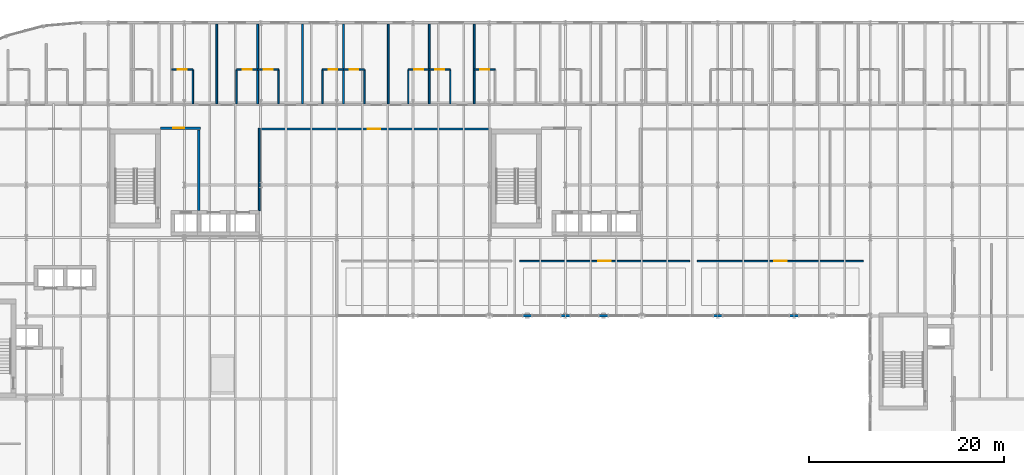
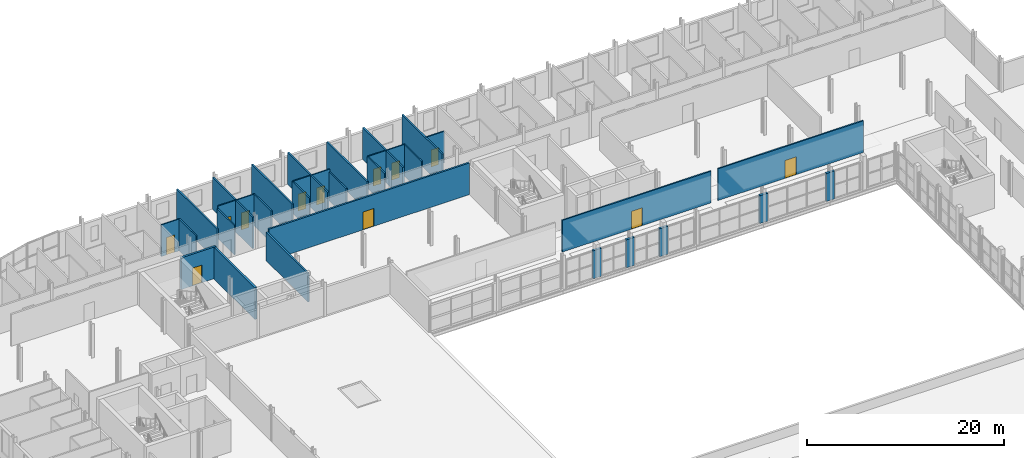
# One storey, part 44 of 58: 33 walls, 12 doors, 12 openings.
"""IFC4 building model written with IfcOpenShell, lengths in metres."""

from ifc_helpers import new_model, si_unit, direction, frame, frame_2d, origin, place, context, subcontext, project, spatial, rectangle, extrude, material, layer, layer_set, type_object, element, fill, save


model = new_model("IFC4")

# Units and contexts
model_context = context("Model", 3, precision=1e-05, world=origin(), true_north=direction((0.0, 1.0)))
body_context = subcontext(model_context, "Body", "Model", "MODEL_VIEW")
ifc_project = project(units=[si_unit("LENGTHUNIT", "METRE"), si_unit("AREAUNIT", "SQUARE_METRE"), si_unit("VOLUMEUNIT", "CUBIC_METRE"), si_unit("PLANEANGLEUNIT", "RADIAN"), si_unit("MASSUNIT", "GRAM", prefix="KILO")], contexts=[model_context])

# Site, building, storey
site_placement = place(None, origin())
site = spatial("IfcSite", under=ifc_project, at=site_placement, CompositionType="ELEMENT")
building_placement = place(site_placement, origin())
building = spatial("IfcBuilding", under=site, at=building_placement, Name="Sefraquen Railside Congress Hotel", CompositionType="ELEMENT")
storey_placement = place(building_placement, frame((0.0, 0.0, 16.199951171875)))
storey = spatial("IfcBuildingStorey", under=building, at=storey_placement, Name="L03", CompositionType="ELEMENT", Elevation=16.199951171875)

# Walls
ifc_material_1 = material(Name="Ochre Rabat calcarenite limestone and Concrete C40/50 backing", Category="masonry")
ifc_layer_1 = layer(ifc_material_1, 0.280029296875)
ifc_layer_set_1 = layer_set([ifc_layer_1], Name="Ochre Rabat calcarenite limestone and Concrete C40/50 backing")
wall_type_1 = type_object("IfcWallType", Name="TW-EW-280", PredefinedType="STANDARD", material=ifc_layer_set_1)
for number, where, z_axis, x_axis, name in (
    (1, (67.6201171875, 88.0, 0.0), (0.0, 0.0, 1.0), (1.0, 0.0, 0.0), "Meeting Wing L03 courtyard north curtain wall 2 column pier closure 1"),
    (2, (71.52001953125, 88.0, 0.0), (0.0, 0.0, 1.0), (1.0, 0.0, 0.0), "Meeting Wing L03 courtyard north curtain wall 2 column pier closure 2"),
    (3, (75.419921875, 88.0, 0.0), (0.0, 0.0, 1.0), (1.0, 0.0, 0.0), "Meeting Wing L03 courtyard north curtain wall 2 column pier closure 3"),
    (4, (87.1201171875, 88.0, 0.0), (0.0, 0.0, 1.0), (1.0, 0.0, 0.0), "Meeting Wing L03 courtyard north curtain wall 3 column pier closure 1"),
    (5, (94.919921875, 88.0, 0.0), (0.0, 0.0, 1.0), (1.0, 0.0, 0.0), "Meeting Wing L03 courtyard north curtain wall 3 column pier closure 2"),
):
    element("IfcWall", number, at=place(storey_placement, frame(where, z_axis=z_axis, x_axis=x_axis)), inside=storey, type_object=wall_type_1, Name=name, PredefinedType="STANDARD", context=body_context, shape_type="SweptSolid", body=[
        extrude(rectangle(XDim=0.9599609375, YDim=0.260009765625, at=frame_2d((0.47998046875, 0.0))), origin(), (0.0, 0.0, 1.0), 3.4599609375),
    ])
ifc_material_2 = material(Name="Concrete C40/50", Category="concrete")
ifc_layer_2 = layer(ifc_material_2, 0.239990234375)
ifc_layer_set_2 = layer_set([ifc_layer_2], Name="Concrete C40/50")
wall_type_2 = type_object("IfcWallType", Name="TW-FW-240", PredefinedType="STANDARD", material=ifc_layer_set_2)
wall_1_placement = place(storey_placement, frame((34.47998046875, 98.780029296875, 0.0), z_axis=(0.0, 0.0, 1.0), x_axis=(0.0, 1.0, 0.0)))
element("IfcWall", 6, at=wall_1_placement, inside=storey, type_object=wall_type_2, Name="Firefighting Lift Lobby FFL-02 east fire wall L03", PredefinedType="STANDARD", context=body_context, shape_type="SweptSolid", body=[
    extrude(rectangle(XDim=8.239990234375, YDim=0.239990234375, at=frame_2d((4.1201171875, 0.0))), origin(), (0.0, 0.0, 1.0), 3.920166015625),
])

# Wall, opening, door
wall_2_placement = place(storey_placement, frame((30.56005859375, 107.199951171875, 0.0), z_axis=(0.0, 0.0, 1.0), x_axis=(1.0, 0.0, 0.0)))
wall_2 = element("IfcWall", 7, at=wall_2_placement, inside=storey, type_object=wall_type_2, Name="Firefighting Lift Lobby FFL-02 EI 120 separation wall L03", PredefinedType="STANDARD", context=body_context, shape_type="SweptSolid", body=[
    extrude(rectangle(XDim=4.099853515625, YDim=0.239990234375, at=frame_2d((2.0498046875, 0.0))), origin(), (0.0, 0.0, 1.0), 3.920166015625),
])
opening_1_placement = place(wall_2_placement, frame((1.300048828125, 0.0, 0.0)))
opening_1 = element("IfcOpeningElement", 8, at=opening_1_placement, cuts=wall_2, Name="Opening FD-04", PredefinedType="OPENING", context=body_context, shape_type="SweptSolid", body=[
    extrude(rectangle(XDim=1.10009765625, YDim=2.199951171875, at=frame_2d((0.550048828125, 1.10009765625))), frame((0.0, 0.1298828125, 0.0), z_axis=(0.0, -1.0, 0.0), x_axis=(1.0, 0.0, 0.0)), (0.0, 0.0, 1.0), 0.260009765625),
])
ifc_material_3 = material(Name="Fire-rated steel", Category="steel")
door_type_1 = type_object("IfcDoorType", Name="TD-FD-04", OperationType="NOTDEFINED", PredefinedType="DOOR", material=ifc_material_3)
door_1_placement = place(opening_1_placement, origin())
door_1 = element("IfcDoor", 9, at=door_1_placement, inside=storey, type_object=door_type_1, Name="Firefighting Lift Lobby FFL-02 self-closing fire door L03", OperationType="SINGLE_SWING_LEFT", OverallHeight=2.199951171875, OverallWidth=1.10009765625, PredefinedType="DOOR", context=body_context, shape_type="SweptSolid", body=[
    extrude(rectangle(XDim=1.10009765625, YDim=2.199951171875, at=frame_2d((0.550048828125, 1.10009765625))), frame((0.0, 0.02490234375, 0.0), z_axis=(0.0, -1.0, 0.0), x_axis=(1.0, 0.0, 0.0)), (0.0, 0.0, 1.0), 0.050048828125),
])
fill(opening_1, door_1)

# Wall
ifc_material_4 = material(Name="Moisture-resistant gypsum board", Category="gypsum")
ifc_layer_3 = layer(ifc_material_4, 0.139892578125)
ifc_layer_set_3 = layer_set([ifc_layer_3], Name="Moisture-resistant gypsum board")
wall_type_3 = type_object("IfcWallType", Name="TW-PW-140", PredefinedType="PARTITIONING", material=ifc_layer_set_3)
wall_3_placement = place(storey_placement, frame((33.862060546875, 109.699951171875, 0.0), z_axis=(0.0, 0.0, 1.0), x_axis=(0.0, 1.0, 0.0)))
element("IfcWall", 10, at=wall_3_placement, inside=storey, type_object=wall_type_3, Name="En-suite bathroom east wall RM-003", PredefinedType="PARTITIONING", context=body_context, shape_type="SweptSolid", body=[
    extrude(rectangle(XDim=3.5, YDim=0.139892578125, at=frame_2d((1.75, 0.0))), origin(), (0.0, 0.0, 1.0), 3.920166015625),
])

# Wall, opening, door
wall_4_placement = place(storey_placement, frame((31.7119140625, 113.199951171875, 0.0), z_axis=(0.0, 0.0, 1.0), x_axis=(1.0, 0.0, 0.0)))
wall_4 = element("IfcWall", 11, at=wall_4_placement, inside=storey, type_object=wall_type_3, Name="En-suite bathroom north wall RM-003", PredefinedType="PARTITIONING", context=body_context, shape_type="SweptSolid", body=[
    extrude(rectangle(XDim=2.150146484375, YDim=0.139892578125, at=frame_2d((1.0751953125, 0.0))), origin(), (0.0, 0.0, 1.0), 3.920166015625),
])
opening_2_placement = place(wall_4_placement, frame((0.60498046875, 0.0, 0.0)))
opening_2 = element("IfcOpeningElement", 12, at=opening_2_placement, cuts=wall_4, Name="Opening ID-01", PredefinedType="OPENING", context=body_context, shape_type="SweptSolid", body=[
    extrude(rectangle(XDim=0.93994140625, YDim=2.14990234375, at=frame_2d((0.469970703125, 1.074951171875))), frame((0.0, 0.079833984375, 0.0), z_axis=(0.0, -1.0, 0.0), x_axis=(1.0, 0.0, 0.0)), (0.0, 0.0, 1.0), 0.159912109375),
])
ifc_material_5 = material(Name="Lacquered cedar joinery", Category="wood")
door_type_2 = type_object("IfcDoorType", Name="TD-ID-01", OperationType="NOTDEFINED", PredefinedType="DOOR", material=ifc_material_5)
door_2_placement = place(opening_2_placement, origin())
door_2 = element("IfcDoor", 13, at=door_2_placement, inside=storey, type_object=door_type_2, Name="En-suite bathroom door RM-003", OperationType="SINGLE_SWING_LEFT", OverallHeight=2.14990234375, OverallWidth=0.93994140625, PredefinedType="DOOR", context=body_context, shape_type="SweptSolid", body=[
    extrude(rectangle(XDim=0.93994140625, YDim=2.14990234375, at=frame_2d((0.469970703125, 1.074951171875))), frame((0.0, 0.02490234375, 0.0), z_axis=(0.0, -1.0, 0.0), x_axis=(1.0, 0.0, 0.0)), (0.0, 0.0, 1.0), 0.050048828125),
])
fill(opening_2, door_2)

# Wall
wall_5_placement = place(storey_placement, frame((38.343994140625, 109.699951171875, 0.0), z_axis=(0.0, 0.0, 1.0), x_axis=(0.0, 1.0, 0.0)))
element("IfcWall", 14, at=wall_5_placement, inside=storey, type_object=wall_type_3, Name="En-suite bathroom west wall RM-004", PredefinedType="PARTITIONING", context=body_context, shape_type="SweptSolid", body=[
    extrude(rectangle(XDim=3.5, YDim=0.139892578125, at=frame_2d((1.75, 0.0))), origin(), (0.0, 0.0, 1.0), 3.610107421875),
])

# Wall, opening, door
wall_6_placement = place(storey_placement, frame((38.343994140625, 113.199951171875, 0.0), z_axis=(0.0, 0.0, 1.0), x_axis=(1.0, 0.0, 0.0)))
wall_6 = element("IfcWall", 15, at=wall_6_placement, inside=storey, type_object=wall_type_3, Name="En-suite bathroom north wall RM-004", PredefinedType="PARTITIONING", context=body_context, shape_type="SweptSolid", body=[
    extrude(rectangle(XDim=2.14990234375, YDim=0.139892578125, at=frame_2d((1.074951171875, 0.0))), origin(), (0.0, 0.0, 1.0), 3.920166015625),
])
opening_3_placement = place(wall_6_placement, frame((0.60498046875, 0.0, 0.0)))
opening_3 = element("IfcOpeningElement", 16, at=opening_3_placement, cuts=wall_6, Name="Opening ID-01", PredefinedType="OPENING", context=body_context, shape_type="SweptSolid", body=[
    extrude(rectangle(XDim=0.93994140625, YDim=2.14990234375, at=frame_2d((0.469970703125, 1.074951171875))), frame((0.0, 0.079833984375, 0.0), z_axis=(0.0, -1.0, 0.0), x_axis=(1.0, 0.0, 0.0)), (0.0, 0.0, 1.0), 0.159912109375),
])
door_3_placement = place(opening_3_placement, origin())
door_3 = element("IfcDoor", 17, at=door_3_placement, inside=storey, type_object=door_type_2, Name="En-suite bathroom door RM-004", OperationType="SINGLE_SWING_LEFT", OverallHeight=2.14990234375, OverallWidth=0.93994140625, PredefinedType="DOOR", context=body_context, shape_type="SweptSolid", body=[
    extrude(rectangle(XDim=0.93994140625, YDim=2.14990234375, at=frame_2d((0.469970703125, 1.074951171875))), frame((0.0, 0.02490234375, 0.0), z_axis=(0.0, -1.0, 0.0), x_axis=(1.0, 0.0, 0.0)), (0.0, 0.0, 1.0), 0.050048828125),
])
fill(opening_3, door_3)

# Wall
wall_7_placement = place(storey_placement, frame((42.64404296875, 109.699951171875, 0.0), z_axis=(0.0, 0.0, 1.0), x_axis=(0.0, 1.0, 0.0)))
element("IfcWall", 18, at=wall_7_placement, inside=storey, type_object=wall_type_3, Name="En-suite bathroom east wall RM-005", PredefinedType="PARTITIONING", context=body_context, shape_type="SweptSolid", body=[
    extrude(rectangle(XDim=3.5, YDim=0.139892578125, at=frame_2d((1.75, 0.0))), origin(), (0.0, 0.0, 1.0), 3.920166015625),
])

# Wall, opening, door
wall_8_placement = place(storey_placement, frame((40.493896484375, 113.199951171875, 0.0), z_axis=(0.0, 0.0, 1.0), x_axis=(1.0, 0.0, 0.0)))
wall_8 = element("IfcWall", 19, at=wall_8_placement, inside=storey, type_object=wall_type_3, Name="En-suite bathroom north wall RM-005", PredefinedType="PARTITIONING", context=body_context, shape_type="SweptSolid", body=[
    extrude(rectangle(XDim=2.150146484375, YDim=0.139892578125, at=frame_2d((1.0751953125, 0.0))), origin(), (0.0, 0.0, 1.0), 3.920166015625),
])
opening_4_placement = place(wall_8_placement, frame((0.625, 0.0, 0.0)))
opening_4 = element("IfcOpeningElement", 20, at=opening_4_placement, cuts=wall_8, Name="Opening ID-02", PredefinedType="OPENING", context=body_context, shape_type="SweptSolid", body=[
    extrude(rectangle(XDim=0.89990234375, YDim=2.10009765625, at=frame_2d((0.449951171875, 1.050048828125))), frame((0.0, 0.079833984375, 0.0), z_axis=(0.0, -1.0, 0.0), x_axis=(1.0, 0.0, 0.0)), (0.0, 0.0, 1.0), 0.159912109375),
])
door_type_3 = type_object("IfcDoorType", Name="TD-ID-02", OperationType="NOTDEFINED", PredefinedType="DOOR", material=ifc_material_5)
door_4_placement = place(opening_4_placement, origin())
door_4 = element("IfcDoor", 21, at=door_4_placement, inside=storey, type_object=door_type_3, Name="En-suite bathroom door RM-005", OperationType="SINGLE_SWING_LEFT", OverallHeight=2.10009765625, OverallWidth=0.89990234375, PredefinedType="DOOR", context=body_context, shape_type="SweptSolid", body=[
    extrude(rectangle(XDim=0.89990234375, YDim=2.10009765625, at=frame_2d((0.449951171875, 1.050048828125))), frame((0.0, 0.02490234375, 0.0), z_axis=(0.0, -1.0, 0.0), x_axis=(1.0, 0.0, 0.0)), (0.0, 0.0, 1.0), 0.050048828125),
])
fill(opening_4, door_4)

# Wall
wall_9_placement = place(storey_placement, frame((47.125, 109.699951171875, 0.0), z_axis=(0.0, 0.0, 1.0), x_axis=(0.0, 1.0, 0.0)))
element("IfcWall", 22, at=wall_9_placement, inside=storey, type_object=wall_type_3, Name="En-suite bathroom west wall RM-006", PredefinedType="PARTITIONING", context=body_context, shape_type="SweptSolid", body=[
    extrude(rectangle(XDim=3.5, YDim=0.139892578125, at=frame_2d((1.75, 0.0))), origin(), (0.0, 0.0, 1.0), 3.920166015625),
])

# Wall, opening, door
wall_10_placement = place(storey_placement, frame((47.125, 113.199951171875, 0.0), z_axis=(0.0, 0.0, 1.0), x_axis=(1.0, 0.0, 0.0)))
wall_10 = element("IfcWall", 23, at=wall_10_placement, inside=storey, type_object=wall_type_3, Name="En-suite bathroom north wall RM-006", PredefinedType="PARTITIONING", context=body_context, shape_type="SweptSolid", body=[
    extrude(rectangle(XDim=2.14990234375, YDim=0.139892578125, at=frame_2d((1.074951171875, 0.0))), origin(), (0.0, 0.0, 1.0), 3.920166015625),
])
opening_5_placement = place(wall_10_placement, frame((0.625, 0.0, 0.0)))
opening_5 = element("IfcOpeningElement", 24, at=opening_5_placement, cuts=wall_10, Name="Opening ID-02", PredefinedType="OPENING", context=body_context, shape_type="SweptSolid", body=[
    extrude(rectangle(XDim=0.89990234375, YDim=2.10009765625, at=frame_2d((0.449951171875, 1.050048828125))), frame((0.0, 0.079833984375, 0.0), z_axis=(0.0, -1.0, 0.0), x_axis=(1.0, 0.0, 0.0)), (0.0, 0.0, 1.0), 0.159912109375),
])
door_5_placement = place(opening_5_placement, origin())
door_5 = element("IfcDoor", 25, at=door_5_placement, inside=storey, type_object=door_type_3, Name="En-suite bathroom door RM-006", OperationType="SINGLE_SWING_LEFT", OverallHeight=2.10009765625, OverallWidth=0.89990234375, PredefinedType="DOOR", context=body_context, shape_type="SweptSolid", body=[
    extrude(rectangle(XDim=0.89990234375, YDim=2.10009765625, at=frame_2d((0.449951171875, 1.050048828125))), frame((0.0, 0.02490234375, 0.0), z_axis=(0.0, -1.0, 0.0), x_axis=(1.0, 0.0, 0.0)), (0.0, 0.0, 1.0), 0.050048828125),
])
fill(opening_5, door_5)

# Wall
wall_11_placement = place(storey_placement, frame((51.425048828125, 109.699951171875, 0.0), z_axis=(0.0, 0.0, 1.0), x_axis=(0.0, 1.0, 0.0)))
element("IfcWall", 26, at=wall_11_placement, inside=storey, type_object=wall_type_3, Name="En-suite bathroom east wall RM-007", PredefinedType="PARTITIONING", context=body_context, shape_type="SweptSolid", body=[
    extrude(rectangle(XDim=3.5, YDim=0.139892578125, at=frame_2d((1.75, 0.0))), origin(), (0.0, 0.0, 1.0), 3.610107421875),
])

# Wall, opening, door
wall_12_placement = place(storey_placement, frame((49.27490234375, 113.199951171875, 0.0), z_axis=(0.0, 0.0, 1.0), x_axis=(1.0, 0.0, 0.0)))
wall_12 = element("IfcWall", 27, at=wall_12_placement, inside=storey, type_object=wall_type_3, Name="En-suite bathroom north wall RM-007", PredefinedType="PARTITIONING", context=body_context, shape_type="SweptSolid", body=[
    extrude(rectangle(XDim=2.150146484375, YDim=0.139892578125, at=frame_2d((1.0751953125, 0.0))), origin(), (0.0, 0.0, 1.0), 3.920166015625),
])
opening_6_placement = place(wall_12_placement, frame((0.625, 0.0, 0.0)))
opening_6 = element("IfcOpeningElement", 28, at=opening_6_placement, cuts=wall_12, Name="Opening ID-02", PredefinedType="OPENING", context=body_context, shape_type="SweptSolid", body=[
    extrude(rectangle(XDim=0.89990234375, YDim=2.10009765625, at=frame_2d((0.449951171875, 1.050048828125))), frame((0.0, 0.079833984375, 0.0), z_axis=(0.0, -1.0, 0.0), x_axis=(1.0, 0.0, 0.0)), (0.0, 0.0, 1.0), 0.159912109375),
])
door_6_placement = place(opening_6_placement, origin())
door_6 = element("IfcDoor", 29, at=door_6_placement, inside=storey, type_object=door_type_3, Name="En-suite bathroom door RM-007", OperationType="SINGLE_SWING_LEFT", OverallHeight=2.10009765625, OverallWidth=0.89990234375, PredefinedType="DOOR", context=body_context, shape_type="SweptSolid", body=[
    extrude(rectangle(XDim=0.89990234375, YDim=2.10009765625, at=frame_2d((0.449951171875, 1.050048828125))), frame((0.0, 0.02490234375, 0.0), z_axis=(0.0, -1.0, 0.0), x_axis=(1.0, 0.0, 0.0)), (0.0, 0.0, 1.0), 0.050048828125),
])
fill(opening_6, door_6)

# Wall
wall_13_placement = place(storey_placement, frame((55.906982421875, 109.699951171875, 0.0), z_axis=(0.0, 0.0, 1.0), x_axis=(0.0, 1.0, 0.0)))
element("IfcWall", 30, at=wall_13_placement, inside=storey, type_object=wall_type_3, Name="En-suite bathroom west wall RM-008", PredefinedType="PARTITIONING", context=body_context, shape_type="SweptSolid", body=[
    extrude(rectangle(XDim=3.5, YDim=0.139892578125, at=frame_2d((1.75, 0.0))), origin(), (0.0, 0.0, 1.0), 3.920166015625),
])

# Wall, opening, door
wall_14_placement = place(storey_placement, frame((55.906982421875, 113.199951171875, 0.0), z_axis=(0.0, 0.0, 1.0), x_axis=(1.0, 0.0, 0.0)))
wall_14 = element("IfcWall", 31, at=wall_14_placement, inside=storey, type_object=wall_type_3, Name="En-suite bathroom north wall RM-008", PredefinedType="PARTITIONING", context=body_context, shape_type="SweptSolid", body=[
    extrude(rectangle(XDim=2.14990234375, YDim=0.139892578125, at=frame_2d((1.074951171875, 0.0))), origin(), (0.0, 0.0, 1.0), 3.920166015625),
])
opening_7_placement = place(wall_14_placement, frame((0.625, 0.0, 0.0)))
opening_7 = element("IfcOpeningElement", 32, at=opening_7_placement, cuts=wall_14, Name="Opening ID-02", PredefinedType="OPENING", context=body_context, shape_type="SweptSolid", body=[
    extrude(rectangle(XDim=0.89990234375, YDim=2.10009765625, at=frame_2d((0.449951171875, 1.050048828125))), frame((0.0, 0.079833984375, 0.0), z_axis=(0.0, -1.0, 0.0), x_axis=(1.0, 0.0, 0.0)), (0.0, 0.0, 1.0), 0.159912109375),
])
door_7_placement = place(opening_7_placement, origin())
door_7 = element("IfcDoor", 33, at=door_7_placement, inside=storey, type_object=door_type_3, Name="En-suite bathroom door RM-008", OperationType="SINGLE_SWING_LEFT", OverallHeight=2.10009765625, OverallWidth=0.89990234375, PredefinedType="DOOR", context=body_context, shape_type="SweptSolid", body=[
    extrude(rectangle(XDim=0.89990234375, YDim=2.10009765625, at=frame_2d((0.449951171875, 1.050048828125))), frame((0.0, 0.02490234375, 0.0), z_axis=(0.0, -1.0, 0.0), x_axis=(1.0, 0.0, 0.0)), (0.0, 0.0, 1.0), 0.050048828125),
])
fill(opening_7, door_7)

# Wall
wall_15_placement = place(storey_placement, frame((60.20703125, 109.699951171875, 0.0), z_axis=(0.0, 0.0, 1.0), x_axis=(0.0, 1.0, 0.0)))
element("IfcWall", 34, at=wall_15_placement, inside=storey, type_object=wall_type_3, Name="En-suite bathroom east wall RM-009", PredefinedType="PARTITIONING", context=body_context, shape_type="SweptSolid", body=[
    extrude(rectangle(XDim=3.5, YDim=0.139892578125, at=frame_2d((1.75, 0.0))), origin(), (0.0, 0.0, 1.0), 3.920166015625),
])

# Wall, opening, door
wall_16_placement = place(storey_placement, frame((58.056884765625, 113.199951171875, 0.0), z_axis=(0.0, 0.0, 1.0), x_axis=(1.0, 0.0, 0.0)))
wall_16 = element("IfcWall", 35, at=wall_16_placement, inside=storey, type_object=wall_type_3, Name="En-suite bathroom north wall RM-009", PredefinedType="PARTITIONING", context=body_context, shape_type="SweptSolid", body=[
    extrude(rectangle(XDim=2.150146484375, YDim=0.139892578125, at=frame_2d((1.0751953125, 0.0))), origin(), (0.0, 0.0, 1.0), 3.920166015625),
])
opening_8_placement = place(wall_16_placement, frame((0.625, 0.0, 0.0)))
opening_8 = element("IfcOpeningElement", 36, at=opening_8_placement, cuts=wall_16, Name="Opening ID-02", PredefinedType="OPENING", context=body_context, shape_type="SweptSolid", body=[
    extrude(rectangle(XDim=0.89990234375, YDim=2.10009765625, at=frame_2d((0.449951171875, 1.050048828125))), frame((0.0, 0.079833984375, 0.0), z_axis=(0.0, -1.0, 0.0), x_axis=(1.0, 0.0, 0.0)), (0.0, 0.0, 1.0), 0.159912109375),
])
door_8_placement = place(opening_8_placement, origin())
door_8 = element("IfcDoor", 37, at=door_8_placement, inside=storey, type_object=door_type_3, Name="En-suite bathroom door RM-009", OperationType="SINGLE_SWING_LEFT", OverallHeight=2.10009765625, OverallWidth=0.89990234375, PredefinedType="DOOR", context=body_context, shape_type="SweptSolid", body=[
    extrude(rectangle(XDim=0.89990234375, YDim=2.10009765625, at=frame_2d((0.449951171875, 1.050048828125))), frame((0.0, 0.02490234375, 0.0), z_axis=(0.0, -1.0, 0.0), x_axis=(1.0, 0.0, 0.0)), (0.0, 0.0, 1.0), 0.050048828125),
])
fill(opening_8, door_8)

wall_17_placement = place(storey_placement, frame((62.657958984375, 113.199951171875, 0.0), z_axis=(0.0, 0.0, 1.0), x_axis=(1.0, 0.0, 0.0)))
wall_17 = element("IfcWall", 38, at=wall_17_placement, inside=storey, type_object=wall_type_3, Name="En-suite bathroom north wall RM-010", PredefinedType="PARTITIONING", context=body_context, shape_type="SweptSolid", body=[
    extrude(rectangle(XDim=2.150146484375, YDim=0.139892578125, at=frame_2d((1.0751953125, 0.0))), origin(), (0.0, 0.0, 1.0), 3.920166015625),
])
opening_9_placement = place(wall_17_placement, frame((0.625, 0.0, 0.0)))
opening_9 = element("IfcOpeningElement", 39, at=opening_9_placement, cuts=wall_17, Name="Opening ID-02", PredefinedType="OPENING", context=body_context, shape_type="SweptSolid", body=[
    extrude(rectangle(XDim=0.89990234375, YDim=2.10009765625, at=frame_2d((0.449951171875, 1.050048828125))), frame((0.0, 0.079833984375, 0.0), z_axis=(0.0, -1.0, 0.0), x_axis=(1.0, 0.0, 0.0)), (0.0, 0.0, 1.0), 0.159912109375),
])
door_9_placement = place(opening_9_placement, origin())
door_9 = element("IfcDoor", 40, at=door_9_placement, inside=storey, type_object=door_type_3, Name="En-suite bathroom door RM-010", OperationType="SINGLE_SWING_LEFT", OverallHeight=2.10009765625, OverallWidth=0.89990234375, PredefinedType="DOOR", context=body_context, shape_type="SweptSolid", body=[
    extrude(rectangle(XDim=0.89990234375, YDim=2.10009765625, at=frame_2d((0.449951171875, 1.050048828125))), frame((0.0, 0.02490234375, 0.0), z_axis=(0.0, -1.0, 0.0), x_axis=(1.0, 0.0, 0.0)), (0.0, 0.0, 1.0), 0.050048828125),
])
fill(opening_9, door_9)

ifc_layer_4 = layer(ifc_material_4, 0.159912109375)
ifc_layer_set_4 = layer_set([ifc_layer_4], Name="Moisture-resistant gypsum board")
wall_type_4 = type_object("IfcWallType", Name="TW-PW-160", PredefinedType="PARTITIONING", material=ifc_layer_set_4)
wall_18_placement = place(storey_placement, frame((67.300048828125, 93.60009765625, 0.0), z_axis=(0.0, 0.0, 1.0), x_axis=(1.0, 0.0, 0.0)))
wall_18 = element("IfcWall", 41, at=wall_18_placement, inside=storey, type_object=wall_type_4, Name="Meeting Room 06 enclosure wall", PredefinedType="PARTITIONING", context=body_context, shape_type="SweptSolid", body=[
    extrude(rectangle(XDim=17.39990234375, YDim=0.159912109375, at=frame_2d((8.699951171875, 0.0))), origin(), (0.0, 0.0, 1.0), 3.920166015625),
])
opening_10_placement = place(wall_18_placement, frame((8.050048828125, 0.0, 0.0)))
opening_10 = element("IfcOpeningElement", 42, at=opening_10_placement, cuts=wall_18, Name="Opening MD-02", PredefinedType="OPENING", context=body_context, shape_type="SweptSolid", body=[
    extrude(rectangle(XDim=1.300048828125, YDim=2.199951171875, at=frame_2d((0.64990234375, 1.10009765625))), frame((0.0, 0.08984375, 0.0), z_axis=(0.0, -1.0, 0.0), x_axis=(1.0, 0.0, 0.0)), (0.0, 0.0, 1.0), 0.179931640625),
])
ifc_material_6 = material(Name="Acoustic cedar veneer", Category="wood")
door_type_4 = type_object("IfcDoorType", Name="TD-MD-02", OperationType="NOTDEFINED", PredefinedType="DOOR", material=ifc_material_6)
door_10_placement = place(opening_10_placement, origin())
door_10 = element("IfcDoor", 43, at=door_10_placement, inside=storey, type_object=door_type_4, Name="Meeting Room 06 entrance door", OperationType="SINGLE_SWING_LEFT", OverallHeight=2.199951171875, OverallWidth=1.300048828125, PredefinedType="DOOR", context=body_context, shape_type="SweptSolid", body=[
    extrude(rectangle(XDim=1.300048828125, YDim=2.199951171875, at=frame_2d((0.64990234375, 1.10009765625))), frame((0.0, 0.02490234375, 0.0), z_axis=(0.0, -1.0, 0.0), x_axis=(1.0, 0.0, 0.0)), (0.0, 0.0, 1.0), 0.050048828125),
])
fill(opening_10, door_10)

wall_19_placement = place(storey_placement, frame((85.5, 93.60009765625, 0.0), z_axis=(0.0, 0.0, 1.0), x_axis=(1.0, 0.0, 0.0)))
wall_19 = element("IfcWall", 44, at=wall_19_placement, inside=storey, type_object=wall_type_4, Name="Meeting Room 07 enclosure wall", PredefinedType="PARTITIONING", context=body_context, shape_type="SweptSolid", body=[
    extrude(rectangle(XDim=17.0, YDim=0.159912109375, at=frame_2d((8.5, 0.0))), origin(), (0.0, 0.0, 1.0), 3.920166015625),
])
opening_11_placement = place(wall_19_placement, frame((7.85009765625, 0.0, 0.0)))
opening_11 = element("IfcOpeningElement", 45, at=opening_11_placement, cuts=wall_19, Name="Opening MD-02", PredefinedType="OPENING", context=body_context, shape_type="SweptSolid", body=[
    extrude(rectangle(XDim=1.300048828125, YDim=2.199951171875, at=frame_2d((0.64990234375, 1.10009765625))), frame((0.0, 0.08984375, 0.0), z_axis=(0.0, -1.0, 0.0), x_axis=(1.0, 0.0, 0.0)), (0.0, 0.0, 1.0), 0.179931640625),
])
door_11_placement = place(opening_11_placement, origin())
door_11 = element("IfcDoor", 46, at=door_11_placement, inside=storey, type_object=door_type_4, Name="Meeting Room 07 entrance door", OperationType="SINGLE_SWING_RIGHT", OverallHeight=2.199951171875, OverallWidth=1.300048828125, PredefinedType="DOOR", context=body_context, shape_type="SweptSolid", body=[
    extrude(rectangle(XDim=1.300048828125, YDim=2.199951171875, at=frame_2d((0.64990234375, 1.10009765625))), frame((0.0, 0.02490234375, 0.0), z_axis=(0.0, -1.0, 0.0), x_axis=(1.0, 0.0, 0.0)), (0.0, 0.0, 1.0), 0.050048828125),
])
fill(opening_11, door_11)

# Walls
ifc_material_7 = material(Name="Acoustic gypsum board on metal stud", Category="gypsum")
ifc_layer_5 = layer(ifc_material_7, 0.179931640625)
ifc_layer_set_5 = layer_set([ifc_layer_5], Name="Acoustic gypsum board on metal stud")
wall_type_5 = type_object("IfcWallType", Name="TW-PW-180", PredefinedType="PARTITIONING", material=ifc_layer_set_5)
for number, where, z_axis, x_axis, name in (
    (47, (36.31298828125, 109.699951171875, 0.0), (0.0, 0.0, 1.0), (0.0, 1.0, 0.0), "Guest room demising wall RM-003"),
    (48, (40.493896484375, 109.699951171875, 0.0), (0.0, 0.0, 1.0), (0.0, 1.0, 0.0), "Guest room demising wall RM-004"),
    (49, (45.094970703125, 109.699951171875, 0.0), (0.0, 0.0, 1.0), (0.0, 1.0, 0.0), "Guest room demising wall RM-005"),
    (50, (49.27490234375, 109.699951171875, 0.0), (0.0, 0.0, 1.0), (0.0, 1.0, 0.0), "Guest room demising wall RM-006"),
):
    element("IfcWall", number, at=place(storey_placement, frame(where, z_axis=z_axis, x_axis=x_axis)), inside=storey, type_object=wall_type_5, Name=name, PredefinedType="PARTITIONING", context=body_context, shape_type="SweptSolid", body=[
        extrude(rectangle(XDim=8.150146484375, YDim=0.179931640625, at=frame_2d((4.0751953125, 0.0))), origin(), (0.0, 0.0, 1.0), 3.920166015625),
    ])
wall_20_placement = place(storey_placement, frame((53.8759765625, 109.699951171875, 0.0), z_axis=(0.0, 0.0, 1.0), x_axis=(0.0, 1.0, 0.0)))
element("IfcWall", 51, at=wall_20_placement, inside=storey, type_object=wall_type_5, Name="Guest room demising wall RM-007", PredefinedType="PARTITIONING", context=body_context, shape_type="SweptSolid", body=[
    extrude(rectangle(XDim=8.150146484375, YDim=0.179931640625, at=frame_2d((4.0751953125, 0.0))), origin(), (0.0, 0.0, 1.0), 3.610107421875),
])
for number, where, z_axis, x_axis, name in (
    (52, (58.056884765625, 109.699951171875, 0.0), (0.0, 0.0, 1.0), (0.0, 1.0, 0.0), "Guest room demising wall RM-008"),
    (53, (62.657958984375, 109.699951171875, 0.0), (0.0, 0.0, 1.0), (0.0, 1.0, 0.0), "Guest room demising wall RM-009"),
):
    element("IfcWall", number, at=place(storey_placement, frame(where, z_axis=z_axis, x_axis=x_axis)), inside=storey, type_object=wall_type_5, Name=name, PredefinedType="PARTITIONING", context=body_context, shape_type="SweptSolid", body=[
        extrude(rectangle(XDim=8.150146484375, YDim=0.179931640625, at=frame_2d((4.0751953125, 0.0))), origin(), (0.0, 0.0, 1.0), 3.920166015625),
    ])

# Wall, opening, door
ifc_layer_6 = layer(ifc_material_7, 0.199951171875)
ifc_layer_set_6 = layer_set([ifc_layer_6], Name="Acoustic gypsum board on metal stud")
wall_type_6 = type_object("IfcWallType", Name="TW-PW-200", PredefinedType="PARTITIONING", material=ifc_layer_set_6)
wall_21_placement = place(storey_placement, frame((40.760009765625, 107.1201171875, 0.0), z_axis=(0.0, 0.0, 1.0), x_axis=(1.0, 0.0, 0.0)))
wall_21 = element("IfcWall", 54, at=wall_21_placement, inside=storey, type_object=wall_type_6, Name="Hotel L03 south-mid corridor fire-rated partition", PredefinedType="PARTITIONING", context=body_context, shape_type="SweptSolid", body=[
    extrude(rectangle(XDim=23.43994140625, YDim=0.199951171875, at=frame_2d((11.719970703125, 0.0))), origin(), (0.0, 0.0, 1.0), 3.920166015625),
])
opening_12_placement = place(wall_21_placement, frame((11.0, 0.0, 0.0)))
opening_12 = element("IfcOpeningElement", 55, at=opening_12_placement, cuts=wall_21, Name="Opening MD-02", PredefinedType="OPENING", context=body_context, shape_type="SweptSolid", body=[
    extrude(rectangle(XDim=1.300048828125, YDim=2.199951171875, at=frame_2d((0.64990234375, 1.10009765625))), frame((0.0, 0.10986328125, 0.0), z_axis=(0.0, -1.0, 0.0), x_axis=(1.0, 0.0, 0.0)), (0.0, 0.0, 1.0), 0.219970703125),
])
door_12_placement = place(opening_12_placement, frame((1.300048828125, 0.0, 0.0), z_axis=(0.0, 0.0, 1.0), x_axis=(-1.0, 0.0, 0.0)))
door_12 = element("IfcDoor", 56, at=door_12_placement, inside=storey, type_object=door_type_4, Name="Delegate Conference Salon door L03", OperationType="SINGLE_SWING_RIGHT", OverallHeight=2.199951171875, OverallWidth=1.300048828125, PredefinedType="DOOR", context=body_context, shape_type="SweptSolid", body=[
    extrude(rectangle(XDim=1.300048828125, YDim=2.199951171875, at=frame_2d((0.64990234375, 1.10009765625))), frame((0.0, 0.02490234375, 0.0), z_axis=(0.0, -1.0, 0.0), x_axis=(1.0, 0.0, 0.0)), (0.0, 0.0, 1.0), 0.050048828125),
])
fill(opening_12, door_12)

# Wall
wall_22_placement = place(storey_placement, frame((40.659912109375, 98.77001953125, 0.0), z_axis=(0.0, 0.0, 1.0), x_axis=(0.0, 1.0, 0.0)))
element("IfcWall", 57, at=wall_22_placement, inside=storey, type_object=wall_type_6, Name="Hotel L03 south-mid west end fire-rated partition", PredefinedType="PARTITIONING", context=body_context, shape_type="SweptSolid", body=[
    extrude(rectangle(XDim=8.449951171875, YDim=0.199951171875, at=frame_2d((4.22509765625, 0.0))), origin(), (0.0, 0.0, 1.0), 3.510009765625),
])

save(model, "model.ifc")
